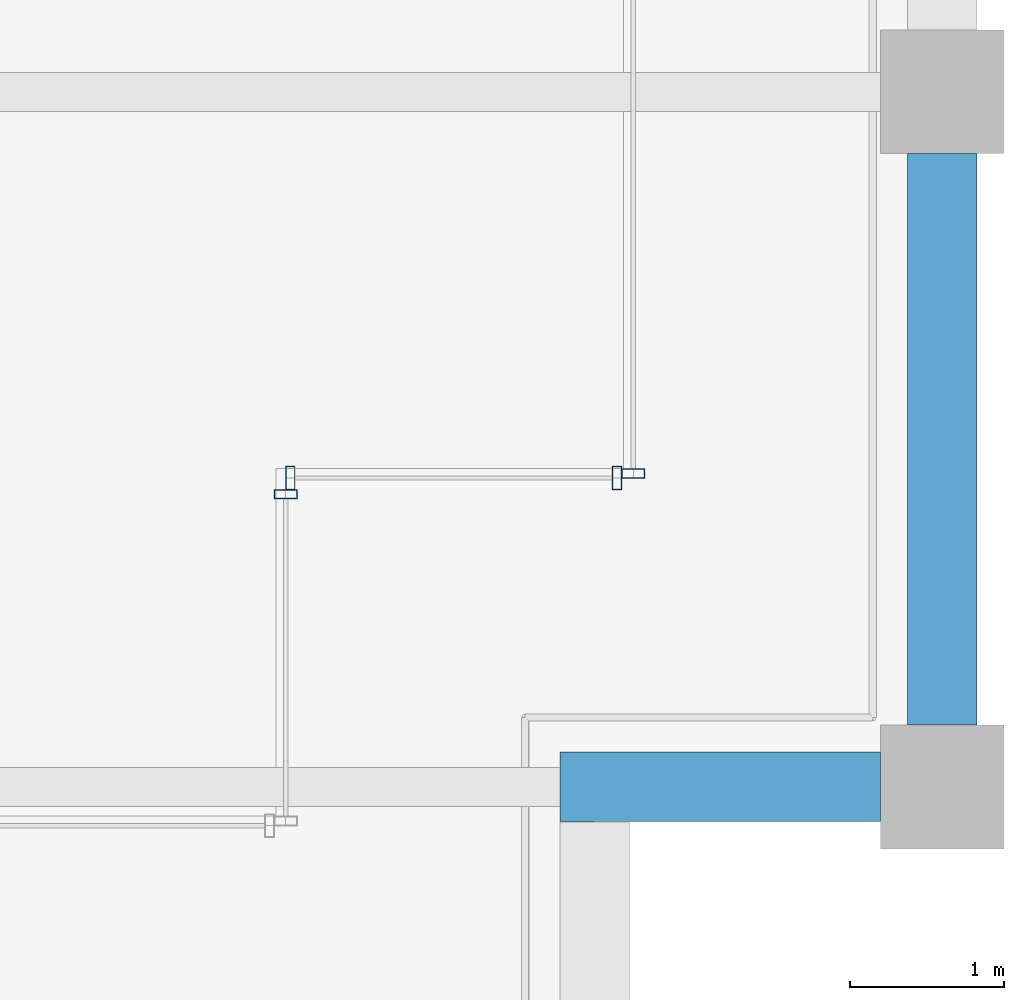
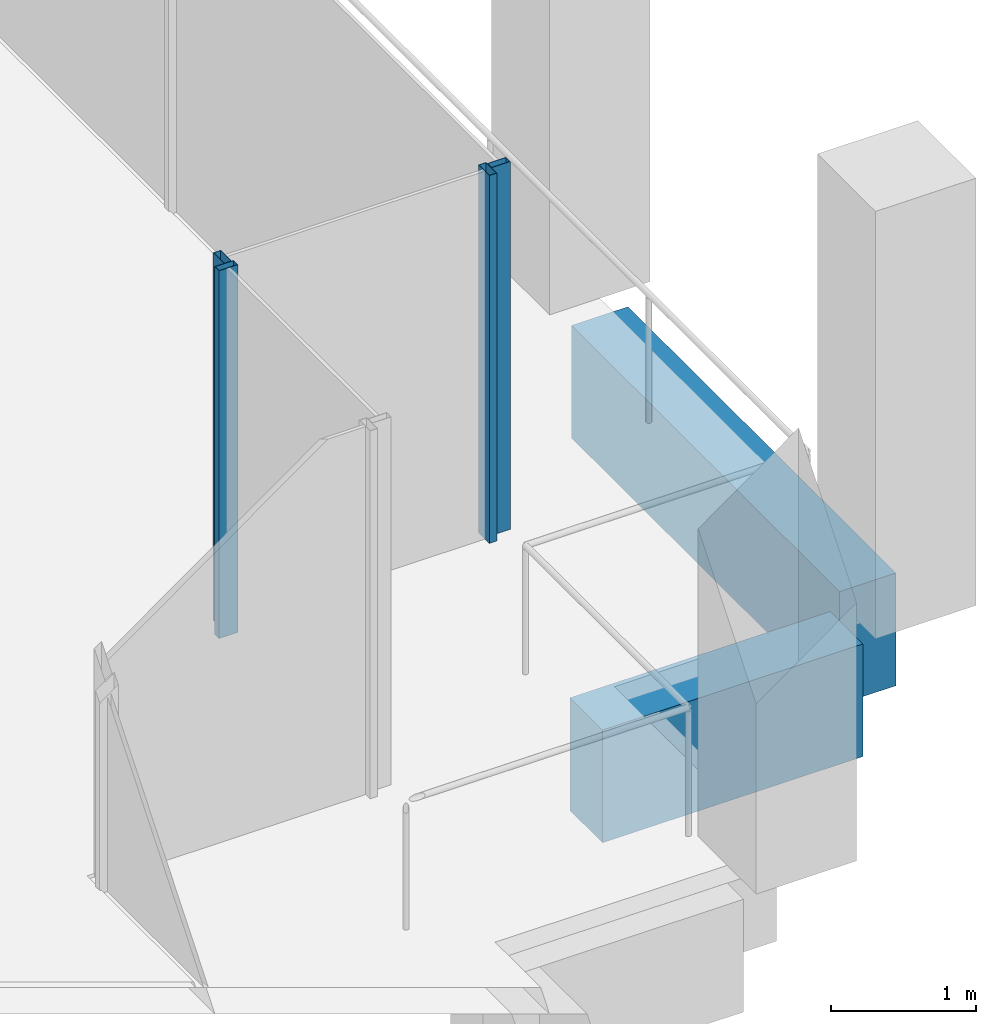
# One storey, part 13 of 30: 4 members, 2 beams, 3 elements without a shape of their own.
"""IFC4 building model written with IfcOpenShell, lengths in metres."""

import ifcopenshell
import ifcopenshell.guid

model = None  # the IFC model being written
_history = None  # IfcOwnerHistory: only IFC2X3 demands one
_inside = {}  # id of a spatial element -> (the spatial element, [elements in it])
_under = {}  # id of a project, library or spatial element -> (it, [spatial elements below it])
_declared = {}  # id of a project -> (the project, [libraries it declares])
_typed = {}  # id of a type object -> (the type object, [elements of that type])
_made_of = {}  # id of a material, layer set ... -> (it, [elements and type objects made of it])


def new_model(schema):
    """Start an empty IFC model of exactly this schema.

    Asked for "IFC4X3", IfcOpenShell would pick the latest addendum, in which some entities
    have other attributes; the version numbers below select the first issue.
    IFC2X3 requires an IfcOwnerHistory on every rooted entity: one is made here for all.
    """
    global model, _history
    if schema == "IFC4X3":
        model = ifcopenshell.file(schema_version=(4, 3, 0, 0))
    else:
        model = ifcopenshell.file(schema=schema)
    _inside.clear()
    _under.clear()
    _declared.clear()
    _typed.clear()
    _made_of.clear()
    _history = None
    if model.schema == "IFC2X3":
        org = make("IfcOrganization", Name="unknown")
        user = make(
            "IfcPersonAndOrganization",
            ThePerson=make("IfcPerson", FamilyName="unknown"),
            TheOrganization=org,
        )
        app = make(
            "IfcApplication",
            ApplicationDeveloper=org,
            Version="unknown",
            ApplicationFullName="unknown",
            ApplicationIdentifier="unknown",
        )
        _history = make(
            "IfcOwnerHistory",
            OwningUser=user,
            OwningApplication=app,
            ChangeAction="ADDED",
            CreationDate=0,
        )
    return model


def make(cls, **values):
    """One entity of the class cls with the attributes given. An attribute that is None is left unset."""
    return model.create_entity(
        cls, **{name: value for name, value in values.items() if value is not None}
    )


def rooted(cls, **values):
    """An entity with a GlobalId (a new one), such as an element, a storey or a relation."""
    return make(cls, GlobalId=ifcopenshell.guid.new(), OwnerHistory=_history, **values)


def si_unit(unit_type, name, prefix=None):
    """IfcSIUnit, for example si_unit("LENGTHUNIT", "METRE", prefix="MILLI")."""
    return make("IfcSIUnit", UnitType=unit_type, Prefix=prefix, Name=name)


def assignment(units):
    """IfcUnitAssignment: the units of a project."""
    return None if units is None else make("IfcUnitAssignment", Units=units)


def point(xyz):
    """IfcCartesianPoint."""
    return None if xyz is None else make("IfcCartesianPoint", Coordinates=xyz)


def direction(xyz):
    """IfcDirection."""
    return None if xyz is None else make("IfcDirection", DirectionRatios=xyz)


def frame(location, z_axis=None, x_axis=None):
    """IfcAxis2Placement3D, a coordinate frame: its origin and axes. An axis left out is left unset."""
    return make(
        "IfcAxis2Placement3D",
        Location=point(location),
        Axis=direction(z_axis),
        RefDirection=direction(x_axis),
    )


def frame_2d(location, x_axis=None):
    """IfcAxis2Placement2D, a coordinate frame in the plane: its origin and x axis."""
    return make(
        "IfcAxis2Placement2D", Location=point(location), RefDirection=direction(x_axis)
    )


def origin():
    """The frame at (0, 0, 0) with its axes left unset."""
    return frame((0.0, 0.0, 0.0))


def origin_2d():
    """The frame at (0, 0) in the plane with its x axis left unset."""
    return frame_2d((0.0, 0.0))


def place(relative_to, where):
    """IfcLocalPlacement: puts the frame where relative to a parent placement (None: the world)."""
    return make(
        "IfcLocalPlacement", PlacementRelTo=relative_to, RelativePlacement=where
    )


def context(
    kind, dimensions, precision=None, world=None, true_north=None, identifier=None
):
    """IfcGeometricRepresentationContext, for example the 3D "Model" context."""
    return make(
        "IfcGeometricRepresentationContext",
        ContextIdentifier=identifier,
        ContextType=kind,
        CoordinateSpaceDimension=dimensions,
        Precision=precision,
        WorldCoordinateSystem=world,
        TrueNorth=true_north,
    )


def subcontext(parent, identifier, kind, view, scale=None):
    """IfcGeometricRepresentationSubContext, for example "Body" below "Model"."""
    return make(
        "IfcGeometricRepresentationSubContext",
        ContextIdentifier=identifier,
        ContextType=kind,
        ParentContext=parent,
        TargetScale=scale,
        TargetView=view,
    )


def project(units=None, contexts=None):
    """IfcProject with its units and contexts."""
    return rooted(
        "IfcProject",
        Name="project",
        RepresentationContexts=contexts,
        UnitsInContext=assignment(units),
    )


def spatial(cls, under=None, at=None, **own):
    """A site, building, storey or space (cls), placed at a placement, below another one or the project."""
    s = rooted(cls, ObjectPlacement=at, **own)
    if under is not None:
        _under.setdefault(under.id(), (under, []))[1].append(s)
    return s


def profile(cls, at=None, kind="AREA", **sizes):
    """A parametric profile (cls). Its sizes go by their IFC names, for example OverallWidth=200.0."""
    return make(cls, ProfileType=kind, Position=at, **sizes)


def rectangle(**sizes):
    """IfcRectangleProfileDef."""
    return profile("IfcRectangleProfileDef", **sizes)


def hollow_rectangle(**sizes):
    """IfcRectangleHollowProfileDef."""
    return profile("IfcRectangleHollowProfileDef", **sizes)


def extrude(swept, where, along, depth):
    """IfcExtrudedAreaSolid: the profile swept, set in the frame where, extruded along a direction by depth."""
    return make(
        "IfcExtrudedAreaSolid",
        SweptArea=swept,
        Position=where,
        ExtrudedDirection=direction(along),
        Depth=depth,
    )


def shape(context_of_items, identifier, shape_type, items):
    """IfcShapeRepresentation: the items that make up one representation, for example the "Body"."""
    return make(
        "IfcShapeRepresentation",
        ContextOfItems=context_of_items,
        RepresentationIdentifier=identifier,
        RepresentationType=shape_type,
        Items=items,
    )


def material(Name=None, Category=None):
    """IfcMaterial."""
    return make("IfcMaterial", Name=Name, Category=Category)


def material_profile(
    of_material, cross_section, Name=None, Category=None, Priority=None
):
    """IfcMaterialProfile: a cross section and its material."""
    return make(
        "IfcMaterialProfile",
        Name=Name,
        Material=of_material,
        Profile=cross_section,
        Priority=Priority,
        Category=Category,
    )


def profile_set(profiles, Name=None, composite=None):
    """IfcMaterialProfileSet."""
    return make(
        "IfcMaterialProfileSet",
        Name=Name,
        MaterialProfiles=profiles,
        CompositeProfile=composite,
    )


def made_of(thing, what):
    """Note that an element or type object is made of a material, layer set ...; save() writes the relation."""
    if what is not None:
        _made_of.setdefault(what.id(), (what, []))[1].append(thing)
    return thing


def type_object(cls, material=None, **own):
    """A type object (cls), such as IfcWallType, which elements share."""
    return made_of(rooted(cls, **own), material)


def element(
    cls,
    number,
    at=None,
    inside=None,
    cuts=None,
    type_object=None,
    material=None,
    context=None,
    identifier="Body",
    shape_type=None,
    held_by="IfcProductDefinitionShape",
    body=None,
    shapes=None,
    **own,
):
    """One element of the class cls, such as IfcWall. Its Tag is "e" and its number.

    at: its placement. inside: the storey or other place that contains it. cuts: it is an
    opening in that element (IfcRelVoidsElement). A single representation is given by context,
    identifier, shape_type and body (its items); several are given by shapes. held_by: the class
    of the entity that holds the representations. save() writes the other relations.
    """
    e = rooted(cls, Tag="e%d" % number, ObjectPlacement=at, **own)
    if body is not None:
        shapes = [shape(context, identifier, shape_type, body)]
    if shapes is not None:
        e.Representation = make(held_by, Representations=shapes)
    if inside is not None:
        _inside.setdefault(inside.id(), (inside, []))[1].append(e)
    if cuts is not None:
        rooted(
            "IfcRelVoidsElement", RelatingBuildingElement=cuts, RelatedOpeningElement=e
        )
    if type_object is not None:
        _typed.setdefault(type_object.id(), (type_object, []))[1].append(e)
    return made_of(e, material)


def aggregate(whole, parts):
    """IfcRelAggregates: a whole, such as a stair, and the parts it consists of."""
    return rooted("IfcRelAggregates", RelatingObject=whole, RelatedObjects=parts)


def save(model, path):
    """Write the relations noted so far, then the file.

    IfcRelAggregates (storeys below a building ...), IfcRelContainedInSpatialStructure (elements
    in a storey), IfcRelDefinesByType, IfcRelAssociatesMaterial and IfcRelDeclares: one each for
    every whole, place, type object, material and project.
    """
    for whole, parts in _under.values():
        aggregate(whole, parts)
    for where, things in _inside.values():
        rooted(
            "IfcRelContainedInSpatialStructure",
            RelatedElements=things,
            RelatingStructure=where,
        )
    for kind, things in _typed.values():
        rooted("IfcRelDefinesByType", RelatedObjects=things, RelatingType=kind)
    for what, things in _made_of.values():
        rooted("IfcRelAssociatesMaterial", RelatedObjects=things, RelatingMaterial=what)
    for by, libraries in _declared.values():
        rooted("IfcRelDeclares", RelatingContext=by, RelatedDefinitions=libraries)
    model.write(path)


model = new_model("IFC4")

# Units and contexts
model_context = context("Model", 3, precision=1e-05, world=origin(), true_north=direction((0.0, 1.0)))
body_context = subcontext(model_context, "Body", "Model", "MODEL_VIEW")
ifc_project = project(units=[si_unit("LENGTHUNIT", "METRE"), si_unit("AREAUNIT", "SQUARE_METRE"), si_unit("VOLUMEUNIT", "CUBIC_METRE"), si_unit("PLANEANGLEUNIT", "RADIAN"), si_unit("MASSUNIT", "GRAM", prefix="KILO")], contexts=[model_context])

# Site, building, storey
site_placement = place(None, origin())
site = spatial("IfcSite", under=ifc_project, at=site_placement, CompositionType="ELEMENT")
building_placement = place(site_placement, origin())
building = spatial("IfcBuilding", under=site, at=building_placement, Name="Altepetl Exchange Towers", CompositionType="ELEMENT")
storey_placement = place(building_placement, frame((0.0, 0.0, 217.199951171875)))
storey = spatial("IfcBuildingStorey", under=building, at=storey_placement, Name="L55", CompositionType="ELEMENT", Elevation=217.199951171875)

# Curtain wall, member
ifc_material_1 = material(Name="Aluminium 6063-T6 glazing", Category="aluminium")
curtain_wall_type = type_object("IfcCurtainWallType", Name="Loggia glazing system", PredefinedType="NOTDEFINED", material=ifc_material_1)
curtain_wall_1_placement = place(storey_placement, origin())
curtain_wall_1 = element("IfcCurtainWall", 1, at=curtain_wall_1_placement, inside=storey, type_object=curtain_wall_type, Name="CW1 run", PredefinedType="NOTDEFINED")
ifc_material_2 = material(Name="Aluminium 6063-T6", Category="aluminium")
ifc_material_profile_1 = material_profile(ifc_material_2, hollow_rectangle(XDim=0.06005859375, YDim=0.14990234375, WallThickness=0.0029296875, at=origin_2d()), Name="Mullion 60x150 aluminium")
ifc_profile_set_1 = profile_set([ifc_material_profile_1], Name="Aluminium 6063-T6")
member_type = type_object("IfcMemberType", Name="Mullion 60x150 aluminium", PredefinedType="MULLION", material=ifc_profile_set_1)
member_1_placement = place(storey_placement, frame((67.75, 33.39501953125, 0.0), z_axis=(0.0, 0.0, 1.0), x_axis=(0.0, 1.0, 0.0)))
member_1 = element("IfcMember", 2, at=member_1_placement, type_object=member_type, Name="MU1 mullion", PredefinedType="MULLION", context=body_context, shape_type="SweptSolid", body=[
    extrude(hollow_rectangle(XDim=0.06005859375, YDim=0.14990234375, WallThickness=0.0029296875, at=origin_2d()), origin(), (0.0, 0.0, 1.0), 3.10009765625),
])
aggregate(curtain_wall_1, [member_1])

# Curtain wall, members
curtain_wall_2_placement = place(storey_placement, origin())
curtain_wall_2 = element("IfcCurtainWall", 3, at=curtain_wall_2_placement, inside=storey, type_object=curtain_wall_type, Name="CW1 run", PredefinedType="NOTDEFINED")
member_2_placement = place(storey_placement, frame((67.780029296875, 33.5, 0.0)))
member_2 = element("IfcMember", 4, at=member_2_placement, type_object=member_type, Name="MU1 mullion", PredefinedType="MULLION", context=body_context, shape_type="SweptSolid", body=[
    extrude(hollow_rectangle(XDim=0.06005859375, YDim=0.14990234375, WallThickness=0.0029296875, at=origin_2d()), origin(), (0.0, 0.0, 1.0), 3.10009765625),
])
member_3_placement = place(storey_placement, frame((69.89501953125, 33.5, 0.0)))
member_3 = element("IfcMember", 5, at=member_3_placement, type_object=member_type, Name="MU1 mullion", PredefinedType="MULLION", context=body_context, shape_type="SweptSolid", body=[
    extrude(hollow_rectangle(XDim=0.06005859375, YDim=0.14990234375, WallThickness=0.0029296875, at=origin_2d()), origin(), (0.0, 0.0, 1.0), 3.10009765625),
])
aggregate(curtain_wall_2, [member_2, member_3])

# Curtain wall, member
curtain_wall_3_placement = place(storey_placement, origin())
curtain_wall_3 = element("IfcCurtainWall", 6, at=curtain_wall_3_placement, inside=storey, type_object=curtain_wall_type, Name="CW1 run", PredefinedType="NOTDEFINED")
member_4_placement = place(storey_placement, frame((70.0, 33.530029296875, 0.0), z_axis=(0.0, 0.0, 1.0), x_axis=(0.0, 1.0, 0.0)))
member_4 = element("IfcMember", 7, at=member_4_placement, type_object=member_type, Name="MU1 mullion", PredefinedType="MULLION", context=body_context, shape_type="SweptSolid", body=[
    extrude(hollow_rectangle(XDim=0.06005859375, YDim=0.14990234375, WallThickness=0.0029296875, at=origin_2d()), origin(), (0.0, 0.0, 1.0), 3.10009765625),
])
aggregate(curtain_wall_3, [member_4])

# Beams
ifc_material_3 = material(Name="Concrete C50/60 precast with cantera amarilla facing", Category="concrete")
ifc_material_profile_2 = material_profile(ifc_material_3, rectangle(XDim=0.449951171875, YDim=0.949951171875, at=origin_2d()), Name="450 x 950")
ifc_profile_set_2 = profile_set([ifc_material_profile_2], Name="Concrete C50/60 precast with cantera amarilla facing")
beam_type = type_object("IfcBeamType", Name="Spandrel beam 450x950 cantera amarilla", PredefinedType="SPANDREL", material=ifc_profile_set_2)
beam_1_placement = place(storey_placement, frame((69.52490234375, 31.5, -0.625), z_axis=(1.0, 0.0, 0.0), x_axis=(0.0, 1.0, 0.0)))
element("IfcBeam", 8, at=beam_1_placement, inside=storey, type_object=beam_type, Name="sp:A:L55:011", PredefinedType="SPANDREL", context=body_context, shape_type="SweptSolid", body=[
    extrude(rectangle(XDim=0.449951171875, YDim=0.949951171875, at=origin_2d()), origin(), (0.0, 0.0, 1.0), 2.0751953125),
])
beam_2_placement = place(storey_placement, frame((72.0, 31.89990234375, -0.625), z_axis=(0.0, 1.0, 0.0), x_axis=(-1.0, 0.0, 0.0)))
element("IfcBeam", 9, at=beam_2_placement, inside=storey, type_object=beam_type, Name="sp:A:L55:012", PredefinedType="SPANDREL", context=body_context, shape_type="SweptSolid", body=[
    extrude(rectangle(XDim=0.449951171875, YDim=0.949951171875, at=origin_2d()), origin(), (0.0, 0.0, 1.0), 3.7001953125),
])

save(model, "model.ifc")
